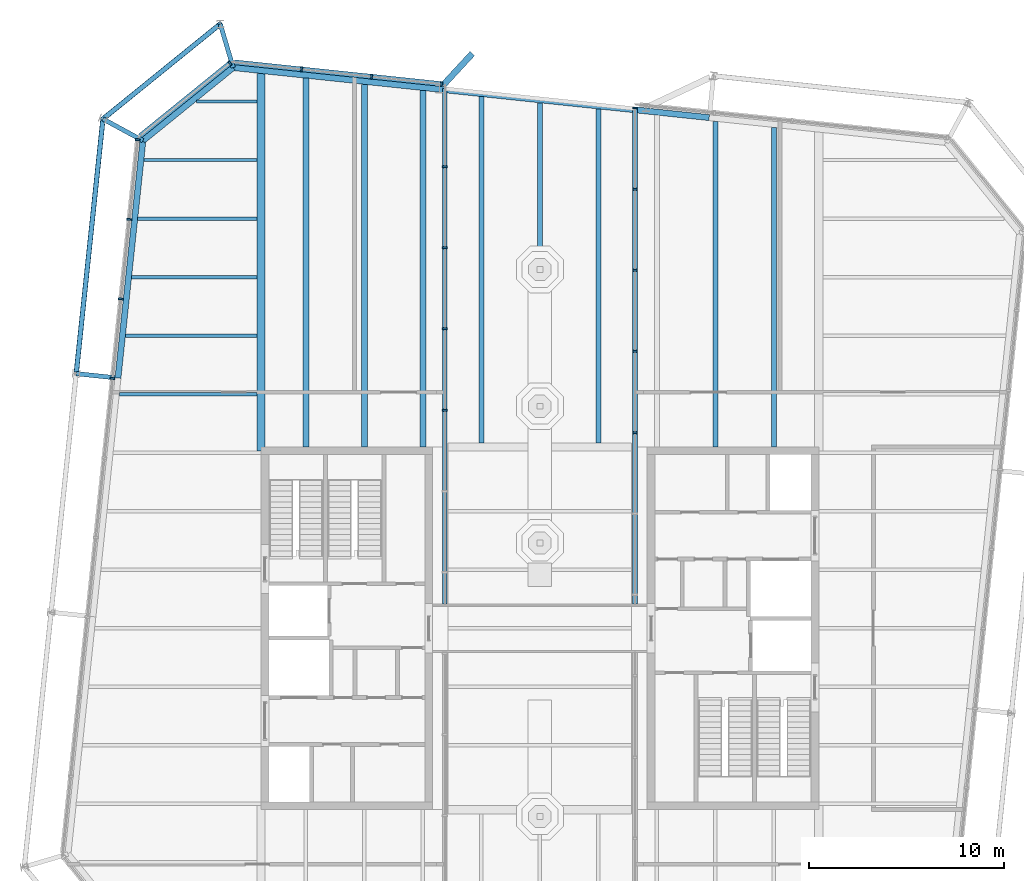
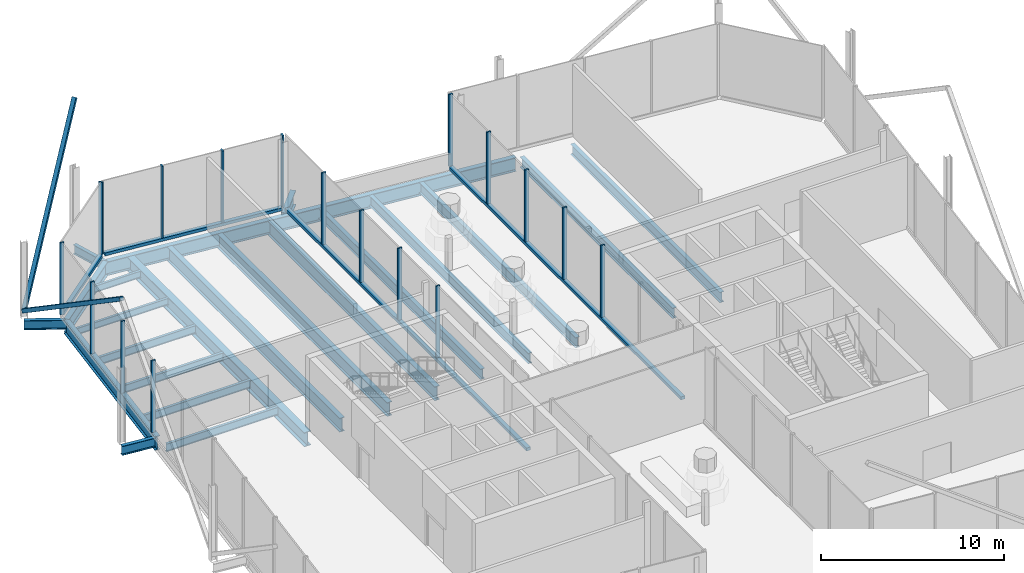
# One storey, part 6 of 14: 23 members, 22 beams, 5 elements without a shape of their own.
"""IFC4 building model written with IfcOpenShell, lengths in metres."""

from ifc_helpers import new_model, si_unit, direction, frame, origin, origin_2d, place, context, subcontext, project, spatial, rectangle, hollow_rectangle, i_section, extrude, material, layer, layer_set, material_profile, profile_set, type_object, element, aggregate, save


model = new_model("IFC4")

# Units and contexts
model_context = context("Model", 3, precision=1e-05, world=origin(), true_north=direction((0.0, 1.0)))
body_context = subcontext(model_context, "Body", "Model", "MODEL_VIEW")
ifc_project = project(units=[si_unit("LENGTHUNIT", "METRE"), si_unit("AREAUNIT", "SQUARE_METRE"), si_unit("VOLUMEUNIT", "CUBIC_METRE"), si_unit("PLANEANGLEUNIT", "RADIAN"), si_unit("MASSUNIT", "GRAM", prefix="KILO")], contexts=[model_context])

# Site, building, storey
site_placement = place(None, origin())
site = spatial("IfcSite", under=ifc_project, at=site_placement, CompositionType="ELEMENT")
building_placement = place(site_placement, origin())
building = spatial("IfcBuilding", under=site, at=building_placement, Name="Millrace Tower", CompositionType="ELEMENT")
storey_placement = place(building_placement, frame((0.0, 0.0, 342.10009765625)))
storey = spatial("IfcBuildingStorey", under=building, at=storey_placement, Name="L79", CompositionType="ELEMENT", Elevation=342.10009765625)

# Curtain wall, members
ifc_material_1 = material(Name="Aluminium and glass", Category="aluminium")
ifc_layer = layer(ifc_material_1, 0.25)
ifc_layer_set = layer_set([ifc_layer], Name="Aluminium and glass")
curtain_wall_type = type_object("IfcCurtainWallType", Name="CW-7 crown louvred enclosure", PredefinedType="NOTDEFINED", material=ifc_layer_set)
placement = place(storey_placement, origin())
curtain_wall_1 = element("IfcCurtainWall", 1, at=placement, inside=storey, type_object=curtain_wall_type, Name="Curtain wall CW-F01 L79", PredefinedType="NOTDEFINED")
ifc_material_2 = material(Name="Aluminium", Category="aluminium")
ifc_material_profile_1 = material_profile(ifc_material_2, rectangle(XDim=0.10009765625, YDim=0.25, at=origin_2d()))
ifc_profile_set_1 = profile_set([ifc_material_profile_1], Name="Aluminium")
member_type_1 = type_object("IfcMemberType", Name="CW-7 crown louvred enclosure mullion", PredefinedType="MULLION", material=ifc_profile_set_1)
member_1_placement = place(storey_placement, frame((-4.875, 11.185302734375, 0.199951171875), z_axis=(0.0, 0.0, 1.0), x_axis=(0.0, 1.0, 0.0)))
member_1 = element("IfcMember", 2, at=member_1_placement, type_object=member_type_1, Name="CW7 mullion CW-F01.8", PredefinedType="MULLION", context=body_context, shape_type="SweptSolid", body=[
    extrude(rectangle(XDim=0.10009765625, YDim=0.25, at=origin_2d()), origin(), (0.0, 0.0, 1.0), 4.800048828125),
])
member_2_placement = place(storey_placement, frame((-4.875, 15.344482421875, 0.199951171875), z_axis=(0.0, 0.0, 1.0), x_axis=(0.0, 1.0, 0.0)))
member_2 = element("IfcMember", 3, at=member_2_placement, type_object=member_type_1, Name="CW7 mullion CW-F01.9", PredefinedType="MULLION", context=body_context, shape_type="SweptSolid", body=[
    extrude(rectangle(XDim=0.10009765625, YDim=0.25, at=origin_2d()), origin(), (0.0, 0.0, 1.0), 4.800048828125),
])
member_3_placement = place(storey_placement, frame((-4.875, 19.503662109375, 0.199951171875), z_axis=(0.0, 0.0, 1.0), x_axis=(0.0, 1.0, 0.0)))
member_3 = element("IfcMember", 4, at=member_3_placement, type_object=member_type_1, Name="CW7 mullion CW-F01.10", PredefinedType="MULLION", context=body_context, shape_type="SweptSolid", body=[
    extrude(rectangle(XDim=0.10009765625, YDim=0.25, at=origin_2d()), origin(), (0.0, 0.0, 1.0), 4.800048828125),
])
member_4_placement = place(storey_placement, frame((-4.875, 23.66259765625, 0.199951171875), z_axis=(0.0, 0.0, 1.0), x_axis=(0.0, 1.0, 0.0)))
member_4 = element("IfcMember", 5, at=member_4_placement, type_object=member_type_1, Name="CW7 mullion CW-F01.11", PredefinedType="MULLION", context=body_context, shape_type="SweptSolid", body=[
    extrude(rectangle(XDim=0.10009765625, YDim=0.25, at=origin_2d()), origin(), (0.0, 0.0, 1.0), 4.800048828125),
])

curtain_wall_2 = element("IfcCurtainWall", 6, at=placement, inside=storey, type_object=curtain_wall_type, Name="Curtain wall CW-F02 L79", PredefinedType="NOTDEFINED")
member_5_placement = place(storey_placement, frame((-5.03662109375, 27.9013671875, 0.199951171875), z_axis=(0.0, 0.0, 1.0), x_axis=(-0.994521893816, 0.104528478039, 0.0)))
member_5 = element("IfcMember", 7, at=member_5_placement, type_object=member_type_1, Name="CW7 mullion CW-F02.1", PredefinedType="MULLION", context=body_context, shape_type="SweptSolid", body=[
    extrude(rectangle(XDim=0.10009765625, YDim=0.25, at=origin_2d()), origin(), (0.0, 0.0, 1.0), 4.800048828125),
])
member_6_placement = place(storey_placement, frame((-8.626953125, 28.27880859375, 0.199951171875), z_axis=(0.0, 0.0, 1.0), x_axis=(-0.994521893816, 0.104528478039, 0.0)))
member_6 = element("IfcMember", 8, at=member_6_placement, type_object=member_type_1, Name="CW7 mullion CW-F02.2", PredefinedType="MULLION", context=body_context, shape_type="SweptSolid", body=[
    extrude(rectangle(XDim=0.10009765625, YDim=0.25, at=origin_2d()), origin(), (0.0, 0.0, 1.0), 4.800048828125),
])
member_7_placement = place(storey_placement, frame((-12.21728515625, 28.656005859375, 0.199951171875), z_axis=(0.0, 0.0, 1.0), x_axis=(-0.994521893816, 0.104528478039, 0.0)))
member_7 = element("IfcMember", 9, at=member_7_placement, type_object=member_type_1, Name="CW7 mullion CW-F02.3", PredefinedType="MULLION", context=body_context, shape_type="SweptSolid", body=[
    extrude(rectangle(XDim=0.10009765625, YDim=0.25, at=origin_2d()), origin(), (0.0, 0.0, 1.0), 4.800048828125),
])

# Curtain wall, member
curtain_wall_3 = element("IfcCurtainWall", 10, at=placement, inside=storey, type_object=curtain_wall_type, Name="Curtain wall CW-F03 L79", PredefinedType="NOTDEFINED")
member_8_placement = place(storey_placement, frame((-15.888427734375, 28.969482421875, 0.199951171875), z_axis=(0.0, 0.0, 1.0), x_axis=(-0.777146052237, -0.629320278945, 0.0)))
member_8 = element("IfcMember", 11, at=member_8_placement, type_object=member_type_1, Name="CW7 mullion CW-F03.1", PredefinedType="MULLION", context=body_context, shape_type="SweptSolid", body=[
    extrude(rectangle(XDim=0.10009765625, YDim=0.25, at=origin_2d()), origin(), (0.0, 0.0, 1.0), 4.800048828125),
])

# Curtain wall, members
curtain_wall_4 = element("IfcCurtainWall", 12, at=placement, inside=storey, type_object=curtain_wall_type, Name="Curtain wall CW-F04 L79", PredefinedType="NOTDEFINED")
member_9_placement = place(storey_placement, frame((-20.62646484375, 25.040283203125, 0.199951171875), z_axis=(0.0, 0.0, 1.0), x_axis=(-0.104528455196, -0.994521896217, 0.0)))
member_9 = element("IfcMember", 13, at=member_9_placement, type_object=member_type_1, Name="CW7 mullion CW-F04.1", PredefinedType="MULLION", context=body_context, shape_type="SweptSolid", body=[
    extrude(rectangle(XDim=0.10009765625, YDim=0.25, at=origin_2d()), origin(), (0.0, 0.0, 1.0), 4.800048828125),
])
member_10_placement = place(storey_placement, frame((-21.054931640625, 20.962646484375, 0.199951171875), z_axis=(0.0, 0.0, 1.0), x_axis=(-0.104528455196, -0.994521896217, 0.0)))
member_10 = element("IfcMember", 14, at=member_10_placement, type_object=member_type_1, Name="CW7 mullion CW-F04.2", PredefinedType="MULLION", context=body_context, shape_type="SweptSolid", body=[
    extrude(rectangle(XDim=0.10009765625, YDim=0.25, at=origin_2d()), origin(), (0.0, 0.0, 1.0), 4.800048828125),
])
member_11_placement = place(storey_placement, frame((-21.4833984375, 16.88525390625, 0.199951171875), z_axis=(0.0, 0.0, 1.0), x_axis=(-0.104528455196, -0.994521896217, 0.0)))
member_11 = element("IfcMember", 15, at=member_11_placement, type_object=member_type_1, Name="CW7 mullion CW-F04.3", PredefinedType="MULLION", context=body_context, shape_type="SweptSolid", body=[
    extrude(rectangle(XDim=0.10009765625, YDim=0.25, at=origin_2d()), origin(), (0.0, 0.0, 1.0), 4.800048828125),
])
member_12_placement = place(storey_placement, frame((-21.912109375, 12.8076171875, 0.199951171875), z_axis=(0.0, 0.0, 1.0), x_axis=(-0.104528455196, -0.994521896217, 0.0)))
member_12 = element("IfcMember", 16, at=member_12_placement, type_object=member_type_1, Name="CW7 mullion CW-F04.4", PredefinedType="MULLION", context=body_context, shape_type="SweptSolid", body=[
    extrude(rectangle(XDim=0.10009765625, YDim=0.25, at=origin_2d()), origin(), (0.0, 0.0, 1.0), 4.800048828125),
])
aggregate(curtain_wall_4, [member_9, member_10, member_11, member_12])

curtain_wall_5 = element("IfcCurtainWall", 17, at=placement, inside=storey, type_object=curtain_wall_type, Name="Curtain wall CE-F01 L79", PredefinedType="NOTDEFINED")
member_13_placement = place(storey_placement, frame((4.875, 26.6708984375, 0.199951171875), z_axis=(0.0, 0.0, 1.0), x_axis=(0.0, -1.0, 0.0)))
member_13 = element("IfcMember", 18, at=member_13_placement, type_object=member_type_1, Name="CW7 mullion CE-F01.1", PredefinedType="MULLION", context=body_context, shape_type="SweptSolid", body=[
    extrude(rectangle(XDim=0.10009765625, YDim=0.25, at=origin_2d()), origin(), (0.0, 0.0, 1.0), 4.800048828125),
])
member_14_placement = place(storey_placement, frame((4.875, 22.51171875, 0.199951171875), z_axis=(0.0, 0.0, 1.0), x_axis=(0.0, -1.0, 0.0)))
member_14 = element("IfcMember", 19, at=member_14_placement, type_object=member_type_1, Name="CW7 mullion CE-F01.2", PredefinedType="MULLION", context=body_context, shape_type="SweptSolid", body=[
    extrude(rectangle(XDim=0.10009765625, YDim=0.25, at=origin_2d()), origin(), (0.0, 0.0, 1.0), 4.800048828125),
])
member_15_placement = place(storey_placement, frame((4.875, 18.3525390625, 0.199951171875), z_axis=(0.0, 0.0, 1.0), x_axis=(0.0, -1.0, 0.0)))
member_15 = element("IfcMember", 20, at=member_15_placement, type_object=member_type_1, Name="CW7 mullion CE-F01.3", PredefinedType="MULLION", context=body_context, shape_type="SweptSolid", body=[
    extrude(rectangle(XDim=0.10009765625, YDim=0.25, at=origin_2d()), origin(), (0.0, 0.0, 1.0), 4.800048828125),
])
member_16_placement = place(storey_placement, frame((4.875, 14.193359375, 0.199951171875), z_axis=(0.0, 0.0, 1.0), x_axis=(0.0, -1.0, 0.0)))
member_16 = element("IfcMember", 21, at=member_16_placement, type_object=member_type_1, Name="CW7 mullion CE-F01.4", PredefinedType="MULLION", context=body_context, shape_type="SweptSolid", body=[
    extrude(rectangle(XDim=0.10009765625, YDim=0.25, at=origin_2d()), origin(), (0.0, 0.0, 1.0), 4.800048828125),
])
member_17_placement = place(storey_placement, frame((4.875, 10.0341796875, 0.199951171875), z_axis=(0.0, 0.0, 1.0), x_axis=(0.0, -1.0, 0.0)))
member_17 = element("IfcMember", 22, at=member_17_placement, type_object=member_type_1, Name="CW7 mullion CE-F01.5", PredefinedType="MULLION", context=body_context, shape_type="SweptSolid", body=[
    extrude(rectangle(XDim=0.10009765625, YDim=0.25, at=origin_2d()), origin(), (0.0, 0.0, 1.0), 4.800048828125),
])

# Member
ifc_material_3 = material(Name="Aluminium", Category="aluminium")
ifc_material_profile_2 = material_profile(ifc_material_3, rectangle(XDim=0.25, YDim=0.199951171875, at=origin_2d()))
ifc_profile_set_2 = profile_set([ifc_material_profile_2], Name="Aluminium")
member_type_2 = type_object("IfcMemberType", Name="CW-7 crown louvred enclosure transom", PredefinedType="USERDEFINED", material=ifc_profile_set_2)
member_18_placement = place(storey_placement, frame((-5.08642578125, 27.90673828125, 0.099853515625), z_axis=(-0.994522680115, 0.104520996633, 0.0), x_axis=(-0.104520996633, -0.994522680115, 0.0)))
member_18 = element("IfcMember", 23, at=member_18_placement, type_object=member_type_2, Name="CW7 transom CW-F02.1", ObjectType="TRANSOM", PredefinedType="USERDEFINED", context=body_context, shape_type="SweptSolid", body=[
    extrude(rectangle(XDim=0.25, YDim=0.199951171875, at=origin_2d()), origin(), (0.0, 0.0, 1.0), 10.630126953125),
])

aggregate(curtain_wall_2, [member_5, member_6, member_7, member_18])

member_19_placement = place(storey_placement, frame((-15.92724609375, 28.938232421875, 0.099853515625), z_axis=(-0.777145289151, -0.629321221277, 0.0), x_axis=(0.629321221277, -0.777145289151, 0.0)))
member_19 = element("IfcMember", 24, at=member_19_placement, type_object=member_type_2, Name="CW7 transom CW-F03.1", ObjectType="TRANSOM", PredefinedType="USERDEFINED", context=body_context, shape_type="SweptSolid", body=[
    extrude(rectangle(XDim=0.25, YDim=0.199951171875, at=origin_2d()), origin(), (0.0, 0.0, 1.0), 5.881103515625),
])

aggregate(curtain_wall_3, [member_8, member_19])

member_20_placement = place(storey_placement, frame((-4.875, 1.239990234375, 0.099853515625), z_axis=(0.0, 1.0, 0.0), x_axis=(-1.0, 0.0, 0.0)))
member_20 = element("IfcMember", 25, at=member_20_placement, type_object=member_type_2, Name="CW7 transom CW-F01.1", ObjectType="TRANSOM", PredefinedType="USERDEFINED", context=body_context, shape_type="SweptSolid", body=[
    extrude(rectangle(XDim=0.25, YDim=0.199951171875, at=origin_2d()), origin(), (0.0, 0.0, 1.0), 26.431884765625),
])

aggregate(curtain_wall_1, [member_1, member_2, member_3, member_4, member_20])

member_21_placement = place(storey_placement, frame((4.875, 1.239990234375, 0.099853515625), z_axis=(0.0, 1.0, 0.0), x_axis=(-1.0, 0.0, 0.0)))
member_21 = element("IfcMember", 26, at=member_21_placement, type_object=member_type_2, Name="CW7 transom CE-F01.1", ObjectType="TRANSOM", PredefinedType="USERDEFINED", context=body_context, shape_type="SweptSolid", body=[
    extrude(rectangle(XDim=0.25, YDim=0.199951171875, at=origin_2d()), origin(), (0.0, 0.0, 1.0), 25.380859375),
])

aggregate(curtain_wall_5, [member_13, member_14, member_15, member_16, member_17, member_21])

# Members
ifc_material_4 = material(Name="Steel ASTM A500 Grade C", Category="steel")
ifc_material_profile_3 = material_profile(ifc_material_4, hollow_rectangle(XDim=0.25390625, YDim=0.25390625, WallThickness=0.009521484375, InnerFilletRadius=0.004638671875, OuterFilletRadius=0.014404296875, at=origin_2d()))
ifc_profile_set_3 = profile_set([ifc_material_profile_3], Name="Steel ASTM A500 Grade C")
member_type_3 = type_object("IfcMemberType", Name="Exoskeleton brace HSS10x10x3/8", PredefinedType="BRACE", material=ifc_profile_set_3)
member_22_placement = place(storey_placement, frame((-22.399169921875, 26.10986328125, 0.39990234375), z_axis=(0.500227525444, 0.405080517336, 0.765298763401), x_axis=(-0.62932438279, 0.777142728993, 0.0)))
element("IfcMember", 27, at=member_22_placement, inside=storey, type_object=member_type_3, Name="BRC-CROWN-L79-12", PredefinedType="BRACE", context=body_context, shape_type="SweptSolid", body=[
    extrude(hollow_rectangle(XDim=0.25390625, YDim=0.25390625, WallThickness=0.009521484375, InnerFilletRadius=0.004638671875, OuterFilletRadius=0.014404296875, at=origin_2d()), origin(), (0.0, 0.0, 1.0), 12.021484375),
])
member_23_placement = place(storey_placement, frame((-22.399169921875, 26.10986328125, 0.39990234375), z_axis=(-0.085603983054, -0.814448569603, 0.573886300199), x_axis=(0.994521642883, -0.104530865473, 0.0)))
element("IfcMember", 28, at=member_23_placement, inside=storey, type_object=member_type_3, Name="BRC-CROWN-L79-13", PredefinedType="BRACE", context=body_context, shape_type="SweptSolid", body=[
    extrude(hollow_rectangle(XDim=0.25390625, YDim=0.25390625, WallThickness=0.009521484375, InnerFilletRadius=0.004638671875, OuterFilletRadius=0.014404296875, at=origin_2d()), origin(), (0.0, 0.0, 1.0), 16.031005859375),
])

# Beams
ifc_material_5 = material(Name="Steel ASTM A992 Grade 50", Category="steel")
ifc_material_profile_4 = material_profile(ifc_material_5, i_section(OverallWidth=0.15234375, OverallDepth=0.449462890625, WebThickness=0.007568359375, FlangeThickness=0.0107421875, FilletRadius=0.01025390625, at=origin_2d()))
ifc_profile_set_4 = profile_set([ifc_material_profile_4], Name="Steel ASTM A992 Grade 50")
beam_type_1 = type_object("IfcBeamType", Name="Floor beam W18x35", PredefinedType="JOIST", material=ifc_profile_set_4)
beam_1_placement = place(storey_placement, frame((-20.301025390625, 24.0, -0.4248046875), z_axis=(1.0, 0.0, 0.0), x_axis=(0.0, 1.0, 0.0)))
element("IfcBeam", 29, at=beam_1_placement, inside=storey, type_object=beam_type_1, Name="BM-CROWN-L79-S1-S033", PredefinedType="JOIST", context=body_context, shape_type="SweptSolid", body=[
    extrude(i_section(OverallWidth=0.15234375, OverallDepth=0.449462890625, WebThickness=0.007568359375, FlangeThickness=0.0107421875, FilletRadius=0.01025390625, at=origin_2d()), origin(), (0.0, 0.0, 1.0), 5.79150390625),
])
beam_2_placement = place(storey_placement, frame((-17.609619140625, 27.0, -0.4248046875), z_axis=(1.0, 0.0, 0.0), x_axis=(0.0, 1.0, 0.0)))
element("IfcBeam", 30, at=beam_2_placement, inside=storey, type_object=beam_type_1, Name="BM-CROWN-L79-S1-S035", PredefinedType="JOIST", context=body_context, shape_type="SweptSolid", body=[
    extrude(i_section(OverallWidth=0.15234375, OverallDepth=0.449462890625, WebThickness=0.007568359375, FlangeThickness=0.0107421875, FilletRadius=0.01025390625, at=origin_2d()), origin(), (0.0, 0.0, 1.0), 3.10009765625),
])
ifc_material_6 = material(Name="Steel ASTM A992 Grade 50", Category="steel")
ifc_material_profile_5 = material_profile(ifc_material_6, i_section(OverallWidth=0.1650390625, OverallDepth=0.52587890625, WebThickness=0.0087890625, FlangeThickness=0.011474609375, FilletRadius=0.0126953125, at=origin_2d()))
ifc_profile_set_5 = profile_set([ifc_material_profile_5], Name="Steel ASTM A992 Grade 50")
beam_type_2 = type_object("IfcBeamType", Name="Floor beam W21x44", PredefinedType="JOIST", material=ifc_profile_set_5)
beam_3_placement = place(storey_placement, frame((-21.562255859375, 12.0, -0.462890625), z_axis=(1.0, 0.0, 0.0), x_axis=(0.0, 1.0, 0.0)))
element("IfcBeam", 31, at=beam_3_placement, inside=storey, type_object=beam_type_2, Name="BM-CROWN-L79-S1-S025", PredefinedType="JOIST", context=body_context, shape_type="SweptSolid", body=[
    extrude(i_section(OverallWidth=0.1650390625, OverallDepth=0.52587890625, WebThickness=0.0087890625, FlangeThickness=0.011474609375, FilletRadius=0.0126953125, at=origin_2d()), origin(), (0.0, 0.0, 1.0), 7.052734375),
])
beam_4_placement = place(storey_placement, frame((-21.246826171875, 15.0, -0.462890625), z_axis=(1.0, 0.0, 0.0), x_axis=(0.0, 1.0, 0.0)))
element("IfcBeam", 32, at=beam_4_placement, inside=storey, type_object=beam_type_2, Name="BM-CROWN-L79-S1-S027", PredefinedType="JOIST", context=body_context, shape_type="SweptSolid", body=[
    extrude(i_section(OverallWidth=0.1650390625, OverallDepth=0.52587890625, WebThickness=0.0087890625, FlangeThickness=0.011474609375, FilletRadius=0.0126953125, at=origin_2d()), origin(), (0.0, 0.0, 1.0), 6.7373046875),
])
beam_5_placement = place(storey_placement, frame((-20.931640625, 18.0, -0.462890625), z_axis=(1.0, 0.0, 0.0), x_axis=(0.0, 1.0, 0.0)))
element("IfcBeam", 33, at=beam_5_placement, inside=storey, type_object=beam_type_2, Name="BM-CROWN-L79-S1-S029", PredefinedType="JOIST", context=body_context, shape_type="SweptSolid", body=[
    extrude(i_section(OverallWidth=0.1650390625, OverallDepth=0.52587890625, WebThickness=0.0087890625, FlangeThickness=0.011474609375, FilletRadius=0.0126953125, at=origin_2d()), origin(), (0.0, 0.0, 1.0), 6.422119140625),
])
beam_6_placement = place(storey_placement, frame((-20.6162109375, 21.0, -0.462890625), z_axis=(1.0, 0.0, 0.0), x_axis=(0.0, 1.0, 0.0)))
element("IfcBeam", 34, at=beam_6_placement, inside=storey, type_object=beam_type_2, Name="BM-CROWN-L79-S1-S031", PredefinedType="JOIST", context=body_context, shape_type="SweptSolid", body=[
    extrude(i_section(OverallWidth=0.1650390625, OverallDepth=0.52587890625, WebThickness=0.0087890625, FlangeThickness=0.011474609375, FilletRadius=0.0126953125, at=origin_2d()), origin(), (0.0, 0.0, 1.0), 6.106689453125),
])
ifc_material_7 = material(Name="Steel ASTM A992 Grade 50", Category="steel")
ifc_material_profile_6 = material_profile(ifc_material_7, i_section(OverallWidth=0.256591796875, OverallDepth=0.693359375, WebThickness=0.014404296875, FlangeThickness=0.023681640625, FilletRadius=0.01513671875, at=origin_2d()))
ifc_profile_set_6 = profile_set([ifc_material_profile_6], Name="Steel ASTM A992 Grade 50")
beam_type_3 = type_object("IfcBeamType", Name="Floor beam W27x114", PredefinedType="JOIST", material=ifc_profile_set_6)
beam_7_placement = place(storey_placement, frame((-3.0, 9.509521484375, -0.546875), z_axis=(0.0, 1.0, 0.0), x_axis=(-1.0, 0.0, 0.0)))
element("IfcBeam", 35, at=beam_7_placement, inside=storey, type_object=beam_type_3, Name="BM-CROWN-L79-S1-S042", PredefinedType="JOIST", context=body_context, shape_type="SweptSolid", body=[
    extrude(i_section(OverallWidth=0.256591796875, OverallDepth=0.693359375, WebThickness=0.014404296875, FlangeThickness=0.023681640625, FilletRadius=0.01513671875, at=origin_2d()), origin(), (0.0, 0.0, 1.0), 17.7431640625),
])
beam_8_placement = place(storey_placement, frame((0.0, 9.509521484375, -0.546875), z_axis=(0.0, 1.0, 0.0), x_axis=(-1.0, 0.0, 0.0)))
element("IfcBeam", 36, at=beam_8_placement, inside=storey, type_object=beam_type_3, Name="BM-CROWN-L79-S1-S044", PredefinedType="JOIST", context=body_context, shape_type="SweptSolid", body=[
    extrude(i_section(OverallWidth=0.256591796875, OverallDepth=0.693359375, WebThickness=0.014404296875, FlangeThickness=0.023681640625, FilletRadius=0.01513671875, at=origin_2d()), origin(), (0.0, 0.0, 1.0), 17.427734375),
])
beam_9_placement = place(storey_placement, frame((3.0, 9.509521484375, -0.546875), z_axis=(0.0, 1.0, 0.0), x_axis=(-1.0, 0.0, 0.0)))
element("IfcBeam", 37, at=beam_9_placement, inside=storey, type_object=beam_type_3, Name="BM-CROWN-L79-S1-S046", PredefinedType="JOIST", context=body_context, shape_type="SweptSolid", body=[
    extrude(i_section(OverallWidth=0.256591796875, OverallDepth=0.693359375, WebThickness=0.014404296875, FlangeThickness=0.023681640625, FilletRadius=0.01513671875, at=origin_2d()), origin(), (0.0, 0.0, 1.0), 17.112548828125),
])
beam_10_placement = place(storey_placement, frame((9.0, 9.300048828125, -0.546875), z_axis=(0.0, 1.0, 0.0), x_axis=(-1.0, 0.0, 0.0)))
element("IfcBeam", 38, at=beam_10_placement, inside=storey, type_object=beam_type_3, Name="BM-CROWN-L79-S1-S050", PredefinedType="JOIST", context=body_context, shape_type="SweptSolid", body=[
    extrude(i_section(OverallWidth=0.256591796875, OverallDepth=0.693359375, WebThickness=0.014404296875, FlangeThickness=0.023681640625, FilletRadius=0.01513671875, at=origin_2d()), origin(), (0.0, 0.0, 1.0), 16.69140625),
])
beam_11_placement = place(storey_placement, frame((12.0, 9.300048828125, -0.546875), z_axis=(0.0, 1.0, 0.0), x_axis=(-1.0, 0.0, 0.0)))
element("IfcBeam", 39, at=beam_11_placement, inside=storey, type_object=beam_type_3, Name="BM-CROWN-L79-S1-S052", PredefinedType="JOIST", context=body_context, shape_type="SweptSolid", body=[
    extrude(i_section(OverallWidth=0.256591796875, OverallDepth=0.693359375, WebThickness=0.014404296875, FlangeThickness=0.023681640625, FilletRadius=0.01513671875, at=origin_2d()), origin(), (0.0, 0.0, 1.0), 16.3759765625),
])
ifc_material_8 = material(Name="Steel ASTM A992 Grade 50", Category="steel")
ifc_material_profile_7 = material_profile(ifc_material_8, i_section(OverallWidth=0.307373046875, OverallDepth=0.927001953125, WebThickness=0.01953125, FlangeThickness=0.031982421875, FilletRadius=0.01904296875, at=origin_2d()))
ifc_profile_set_7 = profile_set([ifc_material_profile_7], Name="Steel ASTM A992 Grade 50")
beam_type_4 = type_object("IfcBeamType", Name="Floor beam W36x194", PredefinedType="JOIST", material=ifc_profile_set_7)
beam_12_placement = place(storey_placement, frame((-12.0, 9.300048828125, -0.66357421875), z_axis=(0.0, 1.0, 0.0), x_axis=(-1.0, 0.0, 0.0)))
element("IfcBeam", 40, at=beam_12_placement, inside=storey, type_object=beam_type_4, Name="BM-CROWN-L79-S1-S036", PredefinedType="JOIST", context=body_context, shape_type="SweptSolid", body=[
    extrude(i_section(OverallWidth=0.307373046875, OverallDepth=0.927001953125, WebThickness=0.01953125, FlangeThickness=0.031982421875, FilletRadius=0.01904296875, at=origin_2d()), origin(), (0.0, 0.0, 1.0), 18.8984375),
])
beam_13_placement = place(storey_placement, frame((-9.0, 9.300048828125, -0.66357421875), z_axis=(0.0, 1.0, 0.0), x_axis=(-1.0, 0.0, 0.0)))
element("IfcBeam", 41, at=beam_13_placement, inside=storey, type_object=beam_type_4, Name="BM-CROWN-L79-S1-S038", PredefinedType="JOIST", context=body_context, shape_type="SweptSolid", body=[
    extrude(i_section(OverallWidth=0.307373046875, OverallDepth=0.927001953125, WebThickness=0.01953125, FlangeThickness=0.031982421875, FilletRadius=0.01904296875, at=origin_2d()), origin(), (0.0, 0.0, 1.0), 18.583251953125),
])
beam_14_placement = place(storey_placement, frame((-6.0, 9.300048828125, -0.66357421875), z_axis=(0.0, 1.0, 0.0), x_axis=(-1.0, 0.0, 0.0)))
element("IfcBeam", 42, at=beam_14_placement, inside=storey, type_object=beam_type_4, Name="BM-CROWN-L79-S1-S040", PredefinedType="JOIST", context=body_context, shape_type="SweptSolid", body=[
    extrude(i_section(OverallWidth=0.307373046875, OverallDepth=0.927001953125, WebThickness=0.01953125, FlangeThickness=0.031982421875, FilletRadius=0.01904296875, at=origin_2d()), origin(), (0.0, 0.0, 1.0), 18.267822265625),
])
ifc_material_9 = material(Name="Steel ASTM A992 Grade 50", Category="steel")
ifc_material_profile_8 = material_profile(ifc_material_9, i_section(OverallWidth=0.424072265625, OverallDepth=0.947509765625, WebThickness=0.02392578125, FlangeThickness=0.042724609375, FilletRadius=0.024169921875, at=origin_2d()))
ifc_profile_set_8 = profile_set([ifc_material_profile_8], Name="Steel ASTM A992 Grade 50")
beam_type_5 = type_object("IfcBeamType", Name="Girder medium span W36x302", PredefinedType="BEAM", material=ifc_profile_set_8)
beam_15_placement = place(storey_placement, frame((-14.300048828125, 9.083984375, -0.673828125), z_axis=(0.0, 1.0, 0.0), x_axis=(-1.0, 0.0, 0.0)))
element("IfcBeam", 43, at=beam_15_placement, inside=storey, type_object=beam_type_5, Name="BM-CROWN-L79-S1-G054", PredefinedType="BEAM", context=body_context, shape_type="SweptSolid", body=[
    extrude(i_section(OverallWidth=0.424072265625, OverallDepth=0.947509765625, WebThickness=0.02392578125, FlangeThickness=0.042724609375, FilletRadius=0.024169921875, at=origin_2d()), origin(), (0.0, 0.0, 1.0), 19.356201171875),
])
ifc_material_10 = material(Name="Steel ASTM A992 Grade 50", Category="steel")
ifc_material_profile_9 = material_profile(ifc_material_10, i_section(OverallWidth=0.322509765625, OverallDepth=0.9931640625, WebThickness=0.0361328125, FlangeThickness=0.06494140625, FilletRadius=0.01904296875, at=origin_2d()))
ifc_profile_set_9 = profile_set([ifc_material_profile_9], Name="Steel ASTM A992 Grade 50")
beam_type_6 = type_object("IfcBeamType", Name="Girder transfer short span W36x387", PredefinedType="BEAM", material=ifc_profile_set_9)
beam_16_placement = place(storey_placement, frame((-3.462890625, 29.462646484375, -0.69677734375), z_axis=(-0.678820797001, -0.734303973541, 0.0), x_axis=(0.734303973541, -0.678820797001, 0.0)))
element("IfcBeam", 44, at=beam_16_placement, inside=storey, type_object=beam_type_6, Name="BM-CROWN-L79-SW-GP02", PredefinedType="BEAM", context=body_context, shape_type="SweptSolid", body=[
    extrude(i_section(OverallWidth=0.322509765625, OverallDepth=0.9931640625, WebThickness=0.0361328125, FlangeThickness=0.06494140625, FilletRadius=0.01904296875, at=origin_2d()), origin(), (0.0, 0.0, 1.0), 2.23095703125),
])
ifc_material_11 = material(Name="Steel ASTM A992 Grade 50", Category="steel")
ifc_material_profile_10 = material_profile(ifc_material_11, i_section(OverallWidth=0.23046875, OverallDepth=0.6171875, WebThickness=0.01318359375, FlangeThickness=0.022216796875, FilletRadius=0.012939453125, at=origin_2d()))
ifc_profile_set_10 = profile_set([ifc_material_profile_10], Name="Steel ASTM A992 Grade 50")
beam_type_7 = type_object("IfcBeamType", Name="Link beam W24x94", PredefinedType="BEAM", material=ifc_profile_set_10)
beam_17_placement = place(storey_placement, frame((-21.782470703125, 12.84423828125, -0.5087890625), z_axis=(-0.994512808172, 0.104614886044, 0.0), x_axis=(-0.104614886044, -0.994512808172, 0.0)))
element("IfcBeam", 45, at=beam_17_placement, inside=storey, type_object=beam_type_7, Name="LNK-CROWN-L79-S1-03", PredefinedType="BEAM", context=body_context, shape_type="SweptSolid", body=[
    extrude(i_section(OverallWidth=0.23046875, OverallDepth=0.6171875, WebThickness=0.01318359375, FlangeThickness=0.022216796875, FilletRadius=0.012939453125, at=origin_2d()), origin(), (0.0, 0.0, 1.0), 2.0),
])
for number, where, z_axis, x_axis, name in (
    (46, (-20.3505859375, 24.99755859375, -0.5087890625), (-0.87881453358, 0.477163510307, 0.0), (-0.477163510307, -0.87881453358, 0.0), "LNK-CROWN-L79-S1-04"),
    (47, (-15.7236328125, 28.744384765625, -0.5087890625), (-0.284031275065, 0.958815015936, 0.0), (-0.958815015936, -0.284031275065, 0.0), "LNK-CROWN-L79-S1-05"),
):
    element("IfcBeam", number, at=place(storey_placement, frame(where, z_axis=z_axis, x_axis=x_axis)), inside=storey, type_object=beam_type_7, Name=name, PredefinedType="BEAM", context=body_context, shape_type="SweptSolid", body=[
        extrude(i_section(OverallWidth=0.23046875, OverallDepth=0.6171875, WebThickness=0.01318359375, FlangeThickness=0.022216796875, FilletRadius=0.012939453125, at=origin_2d()), origin(), (0.0, 0.0, 1.0), 2.3310546875),
    ])
ifc_material_12 = material(Name="Steel ASTM A992 Grade 50", Category="steel")
ifc_material_profile_11 = material_profile(ifc_material_12, i_section(OverallWidth=0.307373046875, OverallDepth=0.927001953125, WebThickness=0.01953125, FlangeThickness=0.031982421875, FilletRadius=0.01904296875, at=origin_2d()))
ifc_profile_set_11 = profile_set([ifc_material_profile_11], Name="Steel ASTM A992 Grade 50")
beam_type_8 = type_object("IfcBeamType", Name="Ring beam long span W36x194", PredefinedType="SPANDREL", material=ifc_profile_set_11)
beam_18_placement = place(storey_placement, frame((-15.7236328125, 28.744384765625, -0.66357421875), z_axis=(0.994522069469, -0.104526806801, 0.0), x_axis=(0.104526806801, 0.994522069469, 0.0)))
element("IfcBeam", 48, at=beam_18_placement, inside=storey, type_object=beam_type_8, Name="RNG-CROWN-L79-S1-05", PredefinedType="SPANDREL", context=body_context, shape_type="SweptSolid", body=[
    extrude(i_section(OverallWidth=0.307373046875, OverallDepth=0.927001953125, WebThickness=0.01953125, FlangeThickness=0.031982421875, FilletRadius=0.01904296875, at=origin_2d()), origin(), (0.0, 0.0, 1.0), 24.536376953125),
])
ifc_material_13 = material(Name="Steel ASTM A992 Grade 50", Category="steel")
ifc_material_profile_12 = material_profile(ifc_material_13, i_section(OverallWidth=0.307373046875, OverallDepth=0.927001953125, WebThickness=0.01953125, FlangeThickness=0.031982421875, FilletRadius=0.01904296875, at=origin_2d()))
ifc_profile_set_12 = profile_set([ifc_material_profile_12], Name="Steel ASTM A992 Grade 50")
beam_type_9 = type_object("IfcBeamType", Name="Ring beam medium span W36x194", PredefinedType="SPANDREL", material=ifc_profile_set_12)
beam_19_placement = place(storey_placement, frame((-21.629638671875, 12.828369140625, -0.66357421875), z_axis=(0.104530030035, 0.994521730693, 0.0), x_axis=(-0.994521730693, 0.104530030035, 0.0)))
element("IfcBeam", 49, at=beam_19_placement, inside=storey, type_object=beam_type_9, Name="RNG-CROWN-L79-S1-03", PredefinedType="SPANDREL", context=body_context, shape_type="SweptSolid", body=[
    extrude(i_section(OverallWidth=0.307373046875, OverallDepth=0.927001953125, WebThickness=0.01953125, FlangeThickness=0.031982421875, FilletRadius=0.01904296875, at=origin_2d()), origin(), (0.0, 0.0, 1.0), 12.236328125),
])
ifc_material_14 = material(Name="Steel ASTM A992 Grade 50", Category="steel")
ifc_material_profile_13 = material_profile(ifc_material_14, i_section(OverallWidth=0.307373046875, OverallDepth=0.927001953125, WebThickness=0.01953125, FlangeThickness=0.031982421875, FilletRadius=0.01904296875, at=origin_2d()))
ifc_profile_set_13 = profile_set([ifc_material_profile_13], Name="Steel ASTM A992 Grade 50")
beam_type_10 = type_object("IfcBeamType", Name="Ring beam short span W36x194", PredefinedType="SPANDREL", material=ifc_profile_set_13)
beam_20_placement = place(storey_placement, frame((-20.3505859375, 24.99755859375, -0.66357421875), z_axis=(0.777146502883, 0.629319722443, 0.0), x_axis=(-0.629319722443, 0.777146502883, 0.0)))
element("IfcBeam", 50, at=beam_20_placement, inside=storey, type_object=beam_type_10, Name="RNG-CROWN-L79-S1-04", PredefinedType="SPANDREL", context=body_context, shape_type="SweptSolid", body=[
    extrude(i_section(OverallWidth=0.307373046875, OverallDepth=0.927001953125, WebThickness=0.01953125, FlangeThickness=0.031982421875, FilletRadius=0.01904296875, at=origin_2d()), origin(), (0.0, 0.0, 1.0), 5.953857421875),
])

save(model, "model.ifc")
